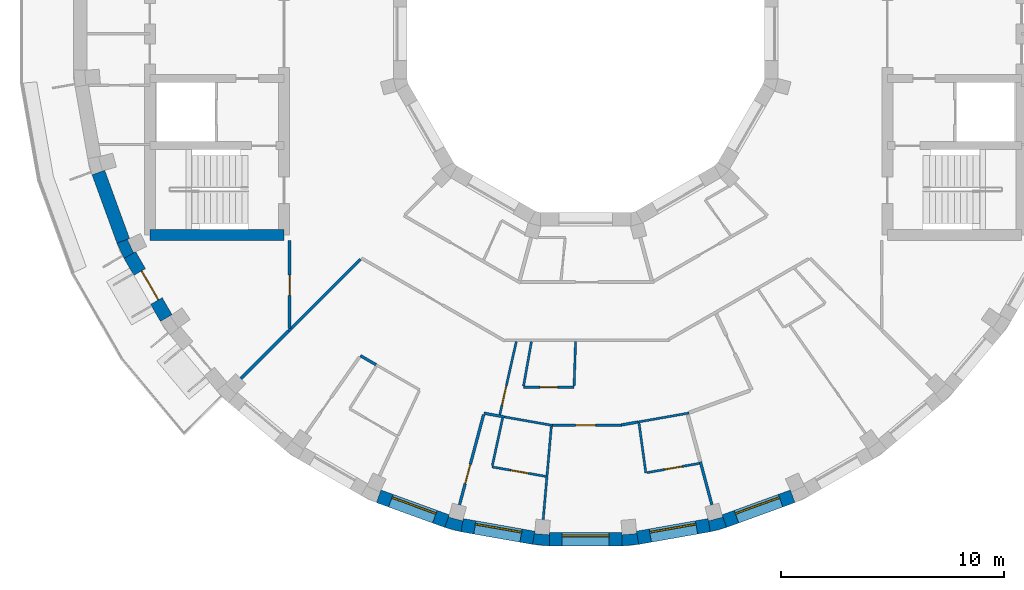
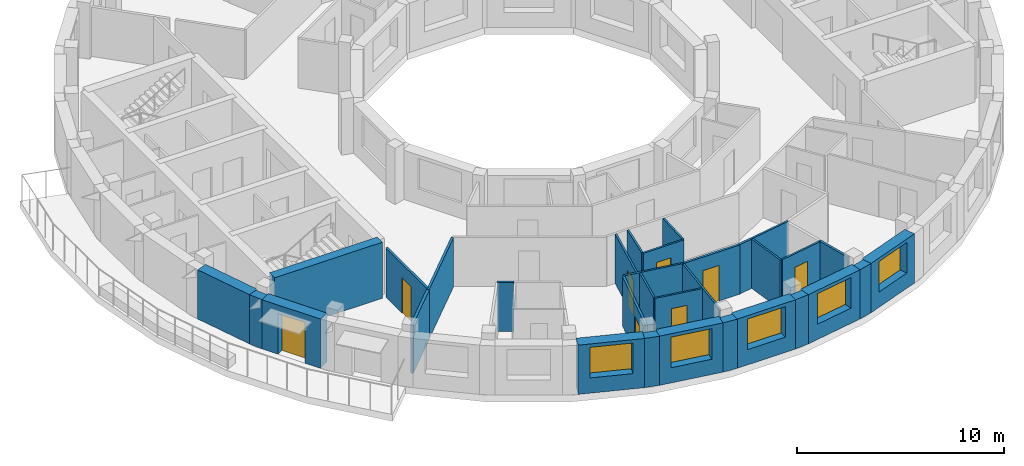
# One storey, part 2 of 10: 33 walls, 8 doors, 5 windows, 13 openings.
"""IFC4 building model written with IfcOpenShell, lengths in metres."""

from ifc_helpers import new_model, si_unit, direction, frame, frame_2d, origin, place, context, subcontext, project, spatial, polyline, rectangle, outline, extrude, material, layer, layer_set, type_object, element, fill, save


model = new_model("IFC4")

# Units and contexts
model_context = context("Model", 3, precision=1e-05, world=origin(), true_north=direction((0.0, 1.0)))
body_context = subcontext(model_context, "Body", "Model", "MODEL_VIEW")
ifc_project = project(units=[si_unit("LENGTHUNIT", "METRE"), si_unit("AREAUNIT", "SQUARE_METRE"), si_unit("VOLUMEUNIT", "CUBIC_METRE"), si_unit("PLANEANGLEUNIT", "RADIAN"), si_unit("MASSUNIT", "GRAM", prefix="KILO")], contexts=[model_context])

# Site, building, storey
site_placement = place(None, origin())
site = spatial("IfcSite", under=ifc_project, at=site_placement, CompositionType="ELEMENT")
building_placement = place(site_placement, origin())
building = spatial("IfcBuilding", under=site, at=building_placement, Name="Saqina Gate Tower", CompositionType="ELEMENT")
storey_placement = place(building_placement, frame((0.0, 0.0, 252.800048828125)))
storey = spatial("IfcBuildingStorey", under=building, at=storey_placement, Name="L72", CompositionType="ELEMENT", Elevation=252.800048828125)

# Walls
ifc_material_1 = material(Name="Brick masonry (buff)", Category="masonry")
wall_type_1 = type_object("IfcWallType", Name="BRICK PIER COPING BUFF", PredefinedType="SOLIDWALL", material=ifc_material_1)
wall_1_placement = place(storey_placement, origin())
element("IfcWall", 1, at=wall_1_placement, inside=storey, type_object=wall_type_1, Name="Pier cap L72 column 21", PredefinedType="SOLIDWALL", context=body_context, shape_type="SweptSolid", body=[
    extrude(outline(polyline([(-20.974609375, -9.3642578125), (-20.65576171875, -10.048095703125), (-20.135986328125, -9.748291015625), (-20.23193359375, -9.79296875), (-20.506591796875, -9.203857421875), (-20.410888671875, -9.1591796875), (-20.974609375, -9.3642578125)])), origin(), (0.0, 0.0, 1.0), 2.89990234375),
])
wall_2_placement = place(storey_placement, origin())
element("IfcWall", 2, at=wall_2_placement, inside=storey, type_object=wall_type_1, Name="Pier cap L72 column 26", PredefinedType="SOLIDWALL", context=body_context, shape_type="SweptSolid", body=[
    extrude(outline(polyline([(-5.579833984375, -22.281982421875), (-5.4755859375, -21.691162109375), (-5.5029296875, -21.793212890625), (-6.130859375, -21.625), (-6.103515625, -21.52294921875), (-6.30859375, -22.0869140625), (-5.579833984375, -22.281982421875)])), origin(), (0.0, 0.0, 1.0), 2.89990234375),
])
wall_3_placement = place(storey_placement, origin())
element("IfcWall", 3, at=wall_3_placement, inside=storey, type_object=wall_type_1, Name="Pier cap L72 column 27", PredefinedType="SOLIDWALL", context=body_context, shape_type="SweptSolid", body=[
    extrude(outline(polyline([(-2.377685546875, -22.8466796875), (-1.625732421875, -22.91259765625), (-1.625732421875, -22.3125), (-1.635009765625, -22.417724609375), (-2.28271484375, -22.361083984375), (-2.2734375, -22.255859375), (-2.377685546875, -22.8466796875)])), origin(), (0.0, 0.0, 1.0), 2.89990234375),
])
wall_4_placement = place(storey_placement, origin())
element("IfcWall", 4, at=wall_4_placement, inside=storey, type_object=wall_type_1, Name="Pier cap L72 column 28", PredefinedType="SOLIDWALL", context=body_context, shape_type="SweptSolid", body=[
    extrude(outline(polyline([(1.625732421875, -22.91259765625), (2.377685546875, -22.8466796875), (2.2734375, -22.255859375), (2.28271484375, -22.361083984375), (1.635009765625, -22.417724609375), (1.625732421875, -22.3125), (1.625732421875, -22.91259765625)])), origin(), (0.0, 0.0, 1.0), 2.89990234375),
])
wall_5_placement = place(storey_placement, origin())
element("IfcWall", 5, at=wall_5_placement, inside=storey, type_object=wall_type_1, Name="Pier cap L72 column 29", PredefinedType="SOLIDWALL", context=body_context, shape_type="SweptSolid", body=[
    extrude(outline(polyline([(6.30859375, -22.0869140625), (6.103515625, -21.52294921875), (6.130859375, -21.625), (5.5029296875, -21.793212890625), (5.4755859375, -21.691162109375), (5.579833984375, -22.281982421875), (6.30859375, -22.0869140625)])), origin(), (0.0, 0.0, 1.0), 2.89990234375),
])

# Wall, opening, door
ifc_material_2 = material(Name="Brick masonry (buff)", Category="masonry")
ifc_layer_1 = layer(ifc_material_2, 0.60009765625)
ifc_layer_set_1 = layer_set([ifc_layer_1], Name="FW-BRICK-BUFF")
wall_type_2 = type_object("IfcWallType", Name="FW-BRICK-BUFF", PredefinedType="SOLIDWALL", material=ifc_layer_set_1)
wall_6_placement = place(storey_placement, frame((-20.39599609375, -9.898193359375, 0.0), z_axis=(0.0, 0.0, 1.0), x_axis=(0.500014901547, -0.866016800201, 0.0)))
wall_6 = element("IfcWall", 6, at=wall_6_placement, inside=storey, type_object=wall_type_2, Name="Facade wall L72 facet 21", PredefinedType="SOLIDWALL", context=body_context, shape_type="SweptSolid", body=[
    extrude(rectangle(XDim=3.251953125, YDim=0.60009765625, at=frame_2d((1.6259765625, 0.0))), origin(), (0.0, 0.0, 1.0), 2.89990234375),
])
opening_1_placement = place(wall_6_placement, frame((0.875732421875, 0.0, 0.0)))
opening_1 = element("IfcOpeningElement", 7, at=opening_1_placement, cuts=wall_6, Name="Opening G21-D80", PredefinedType="OPENING", context=body_context, shape_type="SweptSolid", body=[
    extrude(rectangle(XDim=1.5, YDim=2.39990234375, at=frame_2d((0.75, 1.199951171875))), frame((0.0, 0.31201171875, 0.0), z_axis=(0.0, -1.0, 0.0), x_axis=(1.0, 0.0, 0.0)), (0.0, 0.0, 1.0), 0.6240234375),
])
ifc_material_3 = material(Name="Aluminium glazing", Category="aluminium")
door_type_1 = type_object("IfcDoorType", Name="GD-D", OperationType="DOUBLE_DOOR_SINGLE_SWING", PredefinedType="DOOR", material=ifc_material_3)
door_1_placement = place(opening_1_placement, frame((1.5, 0.0, 0.0), z_axis=(0.0, 0.0, 1.0), x_axis=(-1.0, 0.0, 0.0)))
door_1 = element("IfcDoor", 8, at=door_1_placement, inside=storey, type_object=door_type_1, Name="Terrace door L72 facet 21", OperationType="DOUBLE_DOOR_SINGLE_SWING", OverallHeight=2.39990234375, OverallWidth=1.5, PredefinedType="DOOR", context=body_context, shape_type="SweptSolid", body=[
    extrude(rectangle(XDim=1.5, YDim=2.39990234375, at=frame_2d((0.75, 1.199951171875))), frame((0.0, -0.0751953125, 0.0), z_axis=(0.0, -1.0, 0.0), x_axis=(1.0, 0.0, 0.0)), (0.0, 0.0, 1.0), 0.050048828125),
])
fill(opening_1, door_1)

# Wall, opening, window
wall_7_placement = place(storey_placement, frame((-9.26171875, -20.692626953125, 0.0), z_axis=(0.0, 0.0, 1.0), x_axis=(0.939679383794, -0.342056509473, 0.0)))
wall_7 = element("IfcWall", 9, at=wall_7_placement, inside=storey, type_object=wall_type_2, Name="Facade wall L72 facet 25", PredefinedType="SOLIDWALL", context=body_context, shape_type="SweptSolid", body=[
    extrude(rectangle(XDim=3.251708984375, YDim=0.60009765625, at=frame_2d((1.6259765625, 0.0))), origin(), (0.0, 0.0, 1.0), 2.89990234375),
])
opening_2_placement = place(wall_7_placement, frame((0.57568359375, 0.0, 0.89990234375)))
opening_2 = element("IfcOpeningElement", 10, at=opening_2_placement, cuts=wall_7, Name="Opening G21-W16", PredefinedType="OPENING", context=body_context, shape_type="SweptSolid", body=[
    extrude(rectangle(XDim=2.10009765625, YDim=1.800048828125, at=frame_2d((1.050048828125, 0.89990234375))), frame((0.0, 0.31201171875, 0.0), z_axis=(0.0, -1.0, 0.0), x_axis=(1.0, 0.0, 0.0)), (0.0, 0.0, 1.0), 0.6240234375),
])
ifc_material_4 = material(Name="Aluminium glazing", Category="aluminium")
window_type = type_object("IfcWindowType", Name="WN-D", PartitioningType="SINGLE_PANEL", PredefinedType="WINDOW", material=ifc_material_4)
window_1_placement = place(opening_2_placement, origin())
window_1 = element("IfcWindow", 11, at=window_1_placement, inside=storey, type_object=window_type, Name="Window L72 facet 25", OverallHeight=1.800048828125, OverallWidth=2.10009765625, PartitioningType="SINGLE_PANEL", PredefinedType="WINDOW", context=body_context, shape_type="SweptSolid", body=[
    extrude(rectangle(XDim=2.10009765625, YDim=1.800048828125, at=frame_2d((1.050048828125, 0.89990234375))), frame((0.0, 0.179931640625, 0.0), z_axis=(0.0, -1.0, 0.0), x_axis=(1.0, 0.0, 0.0)), (0.0, 0.0, 1.0), 0.06005859375),
])
fill(opening_2, window_1)

wall_8_placement = place(storey_placement, frame((-5.52783203125, -21.986572265625, 0.0), z_axis=(0.0, 0.0, 1.0), x_axis=(0.984806225186, -0.173656842178, 0.0)))
wall_8 = element("IfcWall", 12, at=wall_8_placement, inside=storey, type_object=wall_type_2, Name="Facade wall L72 facet 26", PredefinedType="SOLIDWALL", context=body_context, shape_type="SweptSolid", body=[
    extrude(rectangle(XDim=3.251708984375, YDim=0.60009765625, at=frame_2d((1.6259765625, 0.0))), origin(), (0.0, 0.0, 1.0), 2.89990234375),
])
opening_3_placement = place(wall_8_placement, frame((0.57568359375, 0.0, 0.89990234375)))
opening_3 = element("IfcOpeningElement", 13, at=opening_3_placement, cuts=wall_8, Name="Opening G21-W17", PredefinedType="OPENING", context=body_context, shape_type="SweptSolid", body=[
    extrude(rectangle(XDim=2.10009765625, YDim=1.800048828125, at=frame_2d((1.050048828125, 0.89990234375))), frame((0.0, 0.31201171875, 0.0), z_axis=(0.0, -1.0, 0.0), x_axis=(1.0, 0.0, 0.0)), (0.0, 0.0, 1.0), 0.6240234375),
])
window_2_placement = place(opening_3_placement, origin())
window_2 = element("IfcWindow", 14, at=window_2_placement, inside=storey, type_object=window_type, Name="Window L72 facet 26", OverallHeight=1.800048828125, OverallWidth=2.10009765625, PartitioningType="SINGLE_PANEL", PredefinedType="WINDOW", context=body_context, shape_type="SweptSolid", body=[
    extrude(rectangle(XDim=2.10009765625, YDim=1.800048828125, at=frame_2d((1.050048828125, 0.89990234375))), frame((0.0, 0.179931640625, 0.0), z_axis=(0.0, -1.0, 0.0), x_axis=(1.0, 0.0, 0.0)), (0.0, 0.0, 1.0), 0.06005859375),
])
fill(opening_3, window_2)

wall_9_placement = place(storey_placement, frame((-1.625732421875, -22.612548828125, 0.0), z_axis=(0.0, 0.0, 1.0), x_axis=(1.0, 0.0, 0.0)))
wall_9 = element("IfcWall", 15, at=wall_9_placement, inside=storey, type_object=wall_type_2, Name="Facade wall L72 facet 27", PredefinedType="SOLIDWALL", context=body_context, shape_type="SweptSolid", body=[
    extrude(rectangle(XDim=3.25146484375, YDim=0.60009765625, at=frame_2d((1.625732421875, 0.0))), origin(), (0.0, 0.0, 1.0), 2.89990234375),
])
opening_4_placement = place(wall_9_placement, frame((0.57568359375, 0.0, 0.89990234375)))
opening_4 = element("IfcOpeningElement", 16, at=opening_4_placement, cuts=wall_9, Name="Opening G21-W18", PredefinedType="OPENING", context=body_context, shape_type="SweptSolid", body=[
    extrude(rectangle(XDim=2.10009765625, YDim=1.800048828125, at=frame_2d((1.050048828125, 0.89990234375))), frame((0.0, 0.31201171875, 0.0), z_axis=(0.0, -1.0, 0.0), x_axis=(1.0, 0.0, 0.0)), (0.0, 0.0, 1.0), 0.6240234375),
])
window_3_placement = place(opening_4_placement, origin())
window_3 = element("IfcWindow", 17, at=window_3_placement, inside=storey, type_object=window_type, Name="Window L72 facet 27", OverallHeight=1.800048828125, OverallWidth=2.10009765625, PartitioningType="SINGLE_PANEL", PredefinedType="WINDOW", context=body_context, shape_type="SweptSolid", body=[
    extrude(rectangle(XDim=2.10009765625, YDim=1.800048828125, at=frame_2d((1.050048828125, 0.89990234375))), frame((0.0, 0.179931640625, 0.0), z_axis=(0.0, -1.0, 0.0), x_axis=(1.0, 0.0, 0.0)), (0.0, 0.0, 1.0), 0.06005859375),
])
fill(opening_4, window_3)

wall_10_placement = place(storey_placement, frame((2.325439453125, -22.55126953125, 0.0), z_axis=(0.0, 0.0, 1.0), x_axis=(0.984806225186, 0.173656842178, 0.0)))
wall_10 = element("IfcWall", 18, at=wall_10_placement, inside=storey, type_object=wall_type_2, Name="Facade wall L72 facet 28", PredefinedType="SOLIDWALL", context=body_context, shape_type="SweptSolid", body=[
    extrude(rectangle(XDim=3.251708984375, YDim=0.60009765625, at=frame_2d((1.6259765625, 0.0))), origin(), (0.0, 0.0, 1.0), 2.89990234375),
])
opening_5_placement = place(wall_10_placement, frame((0.57568359375, 0.0, 0.89990234375)))
opening_5 = element("IfcOpeningElement", 19, at=opening_5_placement, cuts=wall_10, Name="Opening G21-W19", PredefinedType="OPENING", context=body_context, shape_type="SweptSolid", body=[
    extrude(rectangle(XDim=2.10009765625, YDim=1.800048828125, at=frame_2d((1.050048828125, 0.89990234375))), frame((0.0, 0.31201171875, 0.0), z_axis=(0.0, -1.0, 0.0), x_axis=(1.0, 0.0, 0.0)), (0.0, 0.0, 1.0), 0.6240234375),
])
window_4_placement = place(opening_5_placement, origin())
window_4 = element("IfcWindow", 20, at=window_4_placement, inside=storey, type_object=window_type, Name="Window L72 facet 28", OverallHeight=1.800048828125, OverallWidth=2.10009765625, PartitioningType="SINGLE_PANEL", PredefinedType="WINDOW", context=body_context, shape_type="SweptSolid", body=[
    extrude(rectangle(XDim=2.10009765625, YDim=1.800048828125, at=frame_2d((1.050048828125, 0.89990234375))), frame((0.0, 0.179931640625, 0.0), z_axis=(0.0, -1.0, 0.0), x_axis=(1.0, 0.0, 0.0)), (0.0, 0.0, 1.0), 0.06005859375),
])
fill(opening_5, window_4)

wall_11_placement = place(storey_placement, frame((6.2060546875, -21.804931640625, 0.0), z_axis=(0.0, 0.0, 1.0), x_axis=(0.939679383794, 0.342056509473, 0.0)))
wall_11 = element("IfcWall", 21, at=wall_11_placement, inside=storey, type_object=wall_type_2, Name="Facade wall L72 facet 29", PredefinedType="SOLIDWALL", context=body_context, shape_type="SweptSolid", body=[
    extrude(rectangle(XDim=3.251708984375, YDim=0.60009765625, at=frame_2d((1.6259765625, 0.0))), origin(), (0.0, 0.0, 1.0), 2.89990234375),
])
opening_6_placement = place(wall_11_placement, frame((0.57568359375, 0.0, 0.89990234375)))
opening_6 = element("IfcOpeningElement", 22, at=opening_6_placement, cuts=wall_11, Name="Opening G21-W20", PredefinedType="OPENING", context=body_context, shape_type="SweptSolid", body=[
    extrude(rectangle(XDim=2.10009765625, YDim=1.800048828125, at=frame_2d((1.050048828125, 0.89990234375))), frame((0.0, 0.31201171875, 0.0), z_axis=(0.0, -1.0, 0.0), x_axis=(1.0, 0.0, 0.0)), (0.0, 0.0, 1.0), 0.6240234375),
])
window_5_placement = place(opening_6_placement, origin())
window_5 = element("IfcWindow", 23, at=window_5_placement, inside=storey, type_object=window_type, Name="Window L72 facet 29", OverallHeight=1.800048828125, OverallWidth=2.10009765625, PartitioningType="SINGLE_PANEL", PredefinedType="WINDOW", context=body_context, shape_type="SweptSolid", body=[
    extrude(rectangle(XDim=2.10009765625, YDim=1.800048828125, at=frame_2d((1.050048828125, 0.89990234375))), frame((0.0, 0.179931640625, 0.0), z_axis=(0.0, -1.0, 0.0), x_axis=(1.0, 0.0, 0.0)), (0.0, 0.0, 1.0), 0.06005859375),
])
fill(opening_6, window_5)

# Walls
ifc_material_5 = material(Name="Glazed ceramic tile (white)", Category="ceramic")
ifc_layer_2 = layer(ifc_material_5, 0.60009765625)
ifc_layer_set_2 = layer_set([ifc_layer_2], Name="FW-TILE-WH")
wall_type_3 = type_object("IfcWallType", Name="FW-TILE-WH", PredefinedType="SOLIDWALL", material=ifc_layer_set_2)
wall_12_placement = place(storey_placement, frame((-21.804931640625, -6.2060546875, 0.0), z_axis=(0.0, 0.0, 1.0), x_axis=(0.342056509473, -0.939679383794, 0.0)))
element("IfcWall", 24, at=wall_12_placement, inside=storey, type_object=wall_type_3, Name="Facade wall L72 facet 20", PredefinedType="SOLIDWALL", context=body_context, shape_type="SweptSolid", body=[
    extrude(rectangle(XDim=3.251708984375, YDim=0.60009765625, at=frame_2d((1.6259765625, 0.0))), origin(), (0.0, 0.0, 1.0), 2.89990234375),
])
ifc_material_6 = material(Name="Gypsum board on steel studs, 100 mm", Category="steel")
ifc_layer_3 = layer(ifc_material_6, 0.10009765625)
ifc_layer_set_3 = layer_set([ifc_layer_3], Name="PARTITION 100")
wall_type_4 = type_object("IfcWallType", Name="PARTITION 100", PredefinedType="PARTITIONING", material=ifc_layer_set_3)
wall_13_placement = place(storey_placement, frame((2.387451171875, -17.425048828125, 0.0), z_axis=(0.0, 0.0, 1.0), x_axis=(0.136139445073, -0.990689684763, 0.0)))
element("IfcWall", 25, at=wall_13_placement, inside=storey, type_object=wall_type_4, Name="PARTITION PW3-02", PredefinedType="PARTITIONING", context=body_context, shape_type="SweptSolid", body=[
    extrude(rectangle(XDim=2.23974609375, YDim=0.10009765625, at=frame_2d((1.119873046875, 0.0))), origin(), (0.0, 0.0, 1.0), 2.89990234375),
])

# Wall, opening, door
wall_14_placement = place(storey_placement, frame((-4.18896484375, -19.37890625, 0.0), z_axis=(0.0, 0.0, 1.0), x_axis=(0.98481170555, -0.17362576022, 0.0)))
wall_14 = element("IfcWall", 26, at=wall_14_placement, inside=storey, type_object=wall_type_4, Name="PARTITION PW3-20", PredefinedType="PARTITIONING", context=body_context, shape_type="SweptSolid", body=[
    extrude(rectangle(XDim=2.44384765625, YDim=0.10009765625, at=frame_2d((1.221923828125, 0.0))), origin(), (0.0, 0.0, 1.0), 2.89990234375),
])
opening_7_placement = place(wall_14_placement, frame((0.846923828125, 0.0, 0.0)))
opening_7 = element("IfcOpeningElement", 27, at=opening_7_placement, cuts=wall_14, Name="Opening G21-D31", PredefinedType="OPENING", context=body_context, shape_type="SweptSolid", body=[
    extrude(rectangle(XDim=0.800048828125, YDim=2.10009765625, at=frame_2d((0.39990234375, 1.050048828125))), frame((0.0, 0.06201171875, 0.0), z_axis=(0.0, -1.0, 0.0), x_axis=(1.0, 0.0, 0.0)), (0.0, 0.0, 1.0), 0.1240234375),
])
ifc_material_7 = material(Name="Timber door leaf, 800 mm", Category="wood")
door_type_2 = type_object("IfcDoorType", Name="DOOR 800 TIMBER", OperationType="SINGLE_SWING_LEFT", PredefinedType="DOOR", material=ifc_material_7)
door_2_placement = place(opening_7_placement, frame((0.800048828125, 0.0, 0.0), z_axis=(0.0, 0.0, 1.0), x_axis=(-1.0, 0.0, 0.0)))
door_2 = element("IfcDoor", 28, at=door_2_placement, inside=storey, type_object=door_type_2, Name="DOOR G21-D31", OperationType="SINGLE_SWING_LEFT", OverallHeight=2.10009765625, OverallWidth=0.800048828125, PredefinedType="DOOR", context=body_context, shape_type="SweptSolid", body=[
    extrude(rectangle(XDim=0.800048828125, YDim=2.10009765625, at=frame_2d((0.39990234375, 1.050048828125))), frame((0.0, 0.02490234375, 0.0), z_axis=(0.0, -1.0, 0.0), x_axis=(1.0, 0.0, 0.0)), (0.0, 0.0, 1.0), 0.050048828125),
])
fill(opening_7, door_2)

# Wall
wall_15_placement = place(storey_placement, frame((-3.641357421875, -17.140869140625, 0.0), z_axis=(0.0, 0.0, 1.0), x_axis=(0.984870828908, -0.173290075784, 0.0)))
element("IfcWall", 29, at=wall_15_placement, inside=storey, type_object=wall_type_4, Name="PARTITION PW3-21", PredefinedType="PARTITIONING", context=body_context, shape_type="SweptSolid", body=[
    extrude(rectangle(XDim=2.193603515625, YDim=0.10009765625, at=frame_2d((1.0966796875, 0.0))), origin(), (0.0, 0.0, 1.0), 2.89990234375),
])

# Wall, opening, door
wall_16_placement = place(storey_placement, frame((-2.7880859375, -15.81005859375, 0.0), z_axis=(0.0, 0.0, 1.0), x_axis=(1.0, 0.0, 0.0)))
wall_16 = element("IfcWall", 30, at=wall_16_placement, inside=storey, type_object=wall_type_4, Name="PARTITION PW3-24", PredefinedType="PARTITIONING", context=body_context, shape_type="SweptSolid", body=[
    extrude(rectangle(XDim=2.26904296875, YDim=0.10009765625, at=frame_2d((1.134521484375, 0.0))), origin(), (0.0, 0.0, 1.0), 2.89990234375),
])
opening_8_placement = place(wall_16_placement, frame((0.734619140625, 0.0, 0.0)))
opening_8 = element("IfcOpeningElement", 31, at=opening_8_placement, cuts=wall_16, Name="Opening G21-D32", PredefinedType="OPENING", context=body_context, shape_type="SweptSolid", body=[
    extrude(rectangle(XDim=0.800048828125, YDim=2.10009765625, at=frame_2d((0.39990234375, 1.050048828125))), frame((0.0, 0.06201171875, 0.0), z_axis=(0.0, -1.0, 0.0), x_axis=(1.0, 0.0, 0.0)), (0.0, 0.0, 1.0), 0.1240234375),
])
door_3_placement = place(opening_8_placement, frame((0.800048828125, 0.0, 0.0), z_axis=(0.0, 0.0, 1.0), x_axis=(-1.0, 0.0, 0.0)))
door_3 = element("IfcDoor", 32, at=door_3_placement, inside=storey, type_object=door_type_2, Name="DOOR G21-D32", OperationType="SINGLE_SWING_LEFT", OverallHeight=2.10009765625, OverallWidth=0.800048828125, PredefinedType="DOOR", context=body_context, shape_type="SweptSolid", body=[
    extrude(rectangle(XDim=0.800048828125, YDim=2.10009765625, at=frame_2d((0.39990234375, 1.050048828125))), frame((0.0, 0.02490234375, 0.0), z_axis=(0.0, -1.0, 0.0), x_axis=(1.0, 0.0, 0.0)), (0.0, 0.0, 1.0), 0.050048828125),
])
fill(opening_8, door_3)

wall_17_placement = place(storey_placement, frame((2.7421875, -19.635009765625, 0.0), z_axis=(0.0, 0.0, 1.0), x_axis=(0.984744284457, 0.174007741867, 0.0)))
wall_17 = element("IfcWall", 33, at=wall_17_placement, inside=storey, type_object=wall_type_4, Name="PARTITION PW3-28", PredefinedType="PARTITIONING", context=body_context, shape_type="SweptSolid", body=[
    extrude(rectangle(XDim=2.379638671875, YDim=0.10009765625, at=frame_2d((1.18994140625, 0.0))), origin(), (0.0, 0.0, 1.0), 2.89990234375),
])
opening_9_placement = place(wall_17_placement, frame((0.79638671875, 0.0, 0.0)))
opening_9 = element("IfcOpeningElement", 34, at=opening_9_placement, cuts=wall_17, Name="Opening G21-D36", PredefinedType="OPENING", context=body_context, shape_type="SweptSolid", body=[
    extrude(rectangle(XDim=0.800048828125, YDim=2.10009765625, at=frame_2d((0.39990234375, 1.050048828125))), frame((0.0, 0.06201171875, 0.0), z_axis=(0.0, -1.0, 0.0), x_axis=(1.0, 0.0, 0.0)), (0.0, 0.0, 1.0), 0.1240234375),
])
door_4_placement = place(opening_9_placement, frame((0.800048828125, 0.0, 0.0), z_axis=(0.0, 0.0, 1.0), x_axis=(-1.0, 0.0, 0.0)))
door_4 = element("IfcDoor", 35, at=door_4_placement, inside=storey, type_object=door_type_2, Name="DOOR G21-D36", OperationType="SINGLE_SWING_LEFT", OverallHeight=2.10009765625, OverallWidth=0.800048828125, PredefinedType="DOOR", context=body_context, shape_type="SweptSolid", body=[
    extrude(rectangle(XDim=0.800048828125, YDim=2.10009765625, at=frame_2d((0.39990234375, 1.050048828125))), frame((0.0, 0.02490234375, 0.0), z_axis=(0.0, -1.0, 0.0), x_axis=(1.0, 0.0, 0.0)), (0.0, 0.0, 1.0), 0.050048828125),
])
fill(opening_9, door_4)

# Wall
wall_18_placement = place(storey_placement, frame((2.329833984375, -17.37158203125, 0.0), z_axis=(0.0, 0.0, 1.0), x_axis=(0.984801481442, 0.173683741754, 0.0)))
element("IfcWall", 36, at=wall_18_placement, inside=storey, type_object=wall_type_4, Name="PARTITION PW3-29", PredefinedType="PARTITIONING", context=body_context, shape_type="SweptSolid", body=[
    extrude(rectangle(XDim=2.33056640625, YDim=0.10009765625, at=frame_2d((1.165283203125, 0.0))), origin(), (0.0, 0.0, 1.0), 2.89990234375),
])

# Wall, opening, door
wall_19_placement = place(storey_placement, frame((-3.84228515625, -17.0419921875, 0.0), z_axis=(0.0, 0.0, 1.0), x_axis=(0.219959167762, 0.975509079669, 0.0)))
wall_19 = element("IfcWall", 37, at=wall_19_placement, inside=storey, type_object=wall_type_4, Name="PARTITION PW3-44", PredefinedType="PARTITIONING", context=body_context, shape_type="SweptSolid", body=[
    extrude(rectangle(XDim=3.35302734375, YDim=0.10009765625, at=frame_2d((1.676513671875, 0.0))), origin(), (0.0, 0.0, 1.0), 2.89990234375),
])
opening_10_placement = place(wall_19_placement, frame((0.427001953125, 0.0, 0.0)))
opening_10 = element("IfcOpeningElement", 38, at=opening_10_placement, cuts=wall_19, Name="Opening G21-D30", PredefinedType="OPENING", context=body_context, shape_type="SweptSolid", body=[
    extrude(rectangle(XDim=0.89990234375, YDim=2.10009765625, at=frame_2d((0.449951171875, 1.050048828125))), frame((0.0, 0.06201171875, 0.0), z_axis=(0.0, -1.0, 0.0), x_axis=(1.0, 0.0, 0.0)), (0.0, 0.0, 1.0), 0.1240234375),
])
ifc_material_8 = material(Name="Timber door leaf, 900 mm", Category="wood")
door_type_3 = type_object("IfcDoorType", Name="DOOR 900 TIMBER", OperationType="SINGLE_SWING_LEFT", PredefinedType="DOOR", material=ifc_material_8)
door_5_placement = place(opening_10_placement, origin())
door_5 = element("IfcDoor", 39, at=door_5_placement, inside=storey, type_object=door_type_3, Name="DOOR G21-D30", OperationType="SINGLE_SWING_LEFT", OverallHeight=2.10009765625, OverallWidth=0.89990234375, PredefinedType="DOOR", context=body_context, shape_type="SweptSolid", body=[
    extrude(rectangle(XDim=0.89990234375, YDim=2.10009765625, at=frame_2d((0.449951171875, 1.050048828125))), frame((0.0, 0.02490234375, 0.0), z_axis=(0.0, -1.0, 0.0), x_axis=(1.0, 0.0, 0.0)), (0.0, 0.0, 1.0), 0.050048828125),
])
fill(opening_10, door_5)

# Walls
wall_20_placement = place(storey_placement, frame((-4.178466796875, -19.330078125, 0.0), z_axis=(0.0, 0.0, 1.0), x_axis=(0.211197399018, 0.977443429897, 0.0)))
element("IfcWall", 40, at=wall_20_placement, inside=storey, type_object=wall_type_4, Name="PARTITION PW3-45", PredefinedType="PARTITIONING", context=body_context, shape_type="SweptSolid", body=[
    extrude(rectangle(XDim=2.188232421875, YDim=0.10009765625, at=frame_2d((1.09423828125, 0.0))), origin(), (0.0, 0.0, 1.0), 2.89990234375),
])
wall_21_placement = place(storey_placement, frame((-2.779296875, -15.7607421875, 0.0), z_axis=(0.0, 0.0, 1.0), x_axis=(0.173916330722, 0.984760432749, 0.0)))
element("IfcWall", 41, at=wall_21_placement, inside=storey, type_object=wall_type_4, Name="PARTITION PW3-47", PredefinedType="PARTITIONING", context=body_context, shape_type="SweptSolid", body=[
    extrude(rectangle(XDim=2.02001953125, YDim=0.10009765625, at=frame_2d((1.010009765625, 0.0))), origin(), (0.0, 0.0, 1.0), 2.89990234375),
])
wall_22_placement = place(storey_placement, frame((-1.90087890625, -21.73193359375, 0.0), z_axis=(0.0, 0.0, 1.0), x_axis=(0.087101641285, 0.996199429876, 0.0)))
element("IfcWall", 42, at=wall_22_placement, inside=storey, type_object=wall_type_4, Name="PARTITION PW3-49", PredefinedType="PARTITIONING", context=body_context, shape_type="SweptSolid", body=[
    extrude(rectangle(XDim=4.173583984375, YDim=0.10009765625, at=frame_2d((2.0869140625, 0.0))), origin(), (0.0, 0.0, 1.0), 2.89990234375),
])
wall_23_placement = place(storey_placement, frame((-0.517333984375, -15.760009765625, 0.0), z_axis=(0.0, 0.0, 1.0), x_axis=(0.032779329048, 0.999462613401, 0.0)))
element("IfcWall", 43, at=wall_23_placement, inside=storey, type_object=wall_type_4, Name="PARTITION PW3-51", PredefinedType="PARTITIONING", context=body_context, shape_type="SweptSolid", body=[
    extrude(rectangle(XDim=1.988525390625, YDim=0.10009765625, at=frame_2d((0.994140625, 0.0))), origin(), (0.0, 0.0, 1.0), 2.89990234375),
])
ifc_material_9 = material(Name="Gypsum board on steel studs, 125 mm, fire rated", Category="steel")
ifc_layer_4 = layer(ifc_material_9, 0.125)
ifc_layer_set_4 = layer_set([ifc_layer_4], Name="PARTITION EI 30 125")
wall_type_5 = type_object("IfcWallType", Name="PARTITION EI 30 125", PredefinedType="PARTITIONING", material=ifc_layer_set_4)
wall_24_placement = place(storey_placement, frame((5.131591796875, -19.1494140625, 0.0), z_axis=(0.0, 0.0, 1.0), x_axis=(0.259128566087, -0.965842837235, 0.0)))
element("IfcWall", 44, at=wall_24_placement, inside=storey, type_object=wall_type_5, Name="PARTITION PW1-02", PredefinedType="PARTITIONING", context=body_context, shape_type="SweptSolid", body=[
    extrude(rectangle(XDim=1.98974609375, YDim=0.125, at=frame_2d((0.994873046875, 0.0))), origin(), (0.0, 0.0, 1.0), 2.89990234375),
])
wall_25_placement = place(storey_placement, frame((-10.081298828125, -14.40087890625, 0.0), z_axis=(0.0, 0.0, 1.0), x_axis=(0.866059832176, -0.499940363534, 0.0)))
element("IfcWall", 45, at=wall_25_placement, inside=storey, type_object=wall_type_5, Name="PARTITION PW1-08", PredefinedType="PARTITIONING", context=body_context, shape_type="SweptSolid", body=[
    extrude(rectangle(XDim=0.80810546875, YDim=0.125, at=frame_2d((0.404052734375, 0.0))), origin(), (0.0, 0.0, 1.0), 2.89990234375),
])
wall_26_placement = place(storey_placement, frame((-4.54833984375, -16.976318359375, 0.0), z_axis=(0.0, 0.0, 1.0), x_axis=(0.983882623383, -0.178815501019, 0.0)))
element("IfcWall", 46, at=wall_26_placement, inside=storey, type_object=wall_type_5, Name="PARTITION PW1-14", PredefinedType="PARTITIONING", context=body_context, shape_type="SweptSolid", body=[
    extrude(rectangle(XDim=0.921630859375, YDim=0.125, at=frame_2d((0.4609375, 0.0))), origin(), (0.0, 0.0, 1.0), 2.89990234375),
])

# Wall, opening, door
wall_27_placement = place(storey_placement, frame((-1.48095703125, -17.511962890625, 0.0), z_axis=(0.0, 0.0, 1.0), x_axis=(1.0, 0.0, 0.0)))
wall_27 = element("IfcWall", 47, at=wall_27_placement, inside=storey, type_object=wall_type_5, Name="PARTITION PW1-16", PredefinedType="PARTITIONING", context=body_context, shape_type="SweptSolid", body=[
    extrude(rectangle(XDim=3.076416015625, YDim=0.125, at=frame_2d((1.5380859375, 0.0))), origin(), (0.0, 0.0, 1.0), 2.89990234375),
])
opening_11_placement = place(wall_27_placement, frame((1.031494140625, 0.0, 0.0)))
opening_11 = element("IfcOpeningElement", 48, at=opening_11_placement, cuts=wall_27, Name="Opening G21-D34", PredefinedType="OPENING", context=body_context, shape_type="SweptSolid", body=[
    extrude(rectangle(XDim=0.89990234375, YDim=2.10009765625, at=frame_2d((0.449951171875, 1.050048828125))), frame((0.0, 0.074462890625, 0.0), z_axis=(0.0, -1.0, 0.0), x_axis=(1.0, 0.0, 0.0)), (0.0, 0.0, 1.0), 0.14892578125),
])
ifc_material_10 = material(Name="Fire door leaf EI 30, 900 mm")
door_type_4 = type_object("IfcDoorType", Name="DOOR 900 EI 30", OperationType="SINGLE_SWING_LEFT", PredefinedType="DOOR", material=ifc_material_10)
door_6_placement = place(opening_11_placement, origin())
door_6 = element("IfcDoor", 49, at=door_6_placement, inside=storey, type_object=door_type_4, Name="DOOR G21-D34", OperationType="SINGLE_SWING_LEFT", OverallHeight=2.10009765625, OverallWidth=0.89990234375, PredefinedType="DOOR", context=body_context, shape_type="SweptSolid", body=[
    extrude(rectangle(XDim=0.89990234375, YDim=2.10009765625, at=frame_2d((0.449951171875, 1.050048828125))), frame((0.0, 0.02490234375, 0.0), z_axis=(0.0, -1.0, 0.0), x_axis=(1.0, 0.0, 0.0)), (0.0, 0.0, 1.0), 0.050048828125),
])
fill(opening_11, door_6)

# Walls
wall_28_placement = place(storey_placement, frame((1.593505859375, -17.501220703125, 0.0), z_axis=(0.0, 0.0, 1.0), x_axis=(0.984852515296, 0.173394126532, 0.0)))
element("IfcWall", 50, at=wall_28_placement, inside=storey, type_object=wall_type_5, Name="PARTITION PW1-21", PredefinedType="PARTITIONING", context=body_context, shape_type="SweptSolid", body=[
    extrude(rectangle(XDim=0.74755859375, YDim=0.125, at=frame_2d((0.373779296875, 0.0))), origin(), (0.0, 0.0, 1.0), 2.89990234375),
])
wall_29_placement = place(storey_placement, frame((-13.294189453125, -13.294189453125, 0.0), z_axis=(0.0, 0.0, 1.0), x_axis=(0.707106781187, 0.707106781187, 0.0)))
element("IfcWall", 51, at=wall_29_placement, inside=storey, type_object=wall_type_5, Name="PARTITION PW1-27", PredefinedType="PARTITIONING", context=body_context, shape_type="SweptSolid", body=[
    extrude(rectangle(XDim=4.54541015625, YDim=0.125, at=frame_2d((2.272705078125, 0.0))), origin(), (0.0, 0.0, 1.0), 2.89990234375),
])

# Wall, opening, door
wall_30_placement = place(storey_placement, frame((-5.64453125, -21.072021484375, 0.0), z_axis=(0.0, 0.0, 1.0), x_axis=(0.258154150775, 0.966103738963, 0.0)))
wall_30 = element("IfcWall", 52, at=wall_30_placement, inside=storey, type_object=wall_type_5, Name="PARTITION PW1-35", PredefinedType="PARTITIONING", context=body_context, shape_type="SweptSolid", body=[
    extrude(rectangle(XDim=4.17333984375, YDim=0.125, at=frame_2d((2.086669921875, 0.0))), origin(), (0.0, 0.0, 1.0), 2.89990234375),
])
opening_12_placement = place(wall_30_placement, frame((0.976806640625, 0.0, 0.0)))
opening_12 = element("IfcOpeningElement", 53, at=opening_12_placement, cuts=wall_30, Name="Opening G21-D29", PredefinedType="OPENING", context=body_context, shape_type="SweptSolid", body=[
    extrude(rectangle(XDim=0.89990234375, YDim=2.10009765625, at=frame_2d((0.449951171875, 1.050048828125))), frame((0.0, 0.074462890625, 0.0), z_axis=(0.0, -1.0, 0.0), x_axis=(1.0, 0.0, 0.0)), (0.0, 0.0, 1.0), 0.14892578125),
])
door_7_placement = place(opening_12_placement, origin())
door_7 = element("IfcDoor", 54, at=door_7_placement, inside=storey, type_object=door_type_4, Name="DOOR G21-D29", OperationType="SINGLE_SWING_LEFT", OverallHeight=2.10009765625, OverallWidth=0.89990234375, PredefinedType="DOOR", context=body_context, shape_type="SweptSolid", body=[
    extrude(rectangle(XDim=0.89990234375, YDim=2.10009765625, at=frame_2d((0.449951171875, 1.050048828125))), frame((0.0, 0.02490234375, 0.0), z_axis=(0.0, -1.0, 0.0), x_axis=(1.0, 0.0, 0.0)), (0.0, 0.0, 1.0), 0.050048828125),
])
fill(opening_12, door_7)

wall_31_placement = place(storey_placement, frame((-13.25, -13.175048828125, 0.0), z_axis=(0.0, 0.0, 1.0), x_axis=(0.0, 1.0, 0.0)))
wall_31 = element("IfcWall", 55, at=wall_31_placement, inside=storey, type_object=wall_type_5, Name="PARTITION PW1-40", PredefinedType="PARTITIONING", context=body_context, shape_type="SweptSolid", body=[
    extrude(rectangle(XDim=3.925048828125, YDim=0.125, at=frame_2d((1.96240234375, 0.0))), origin(), (0.0, 0.0, 1.0), 2.89990234375),
])
opening_13_placement = place(wall_31_placement, frame((1.47509765625, 0.0, 0.0)))
opening_13 = element("IfcOpeningElement", 56, at=opening_13_placement, cuts=wall_31, Name="Opening G21-D23", PredefinedType="OPENING", context=body_context, shape_type="SweptSolid", body=[
    extrude(rectangle(XDim=0.89990234375, YDim=2.10009765625, at=frame_2d((0.449951171875, 1.050048828125))), frame((0.0, 0.074462890625, 0.0), z_axis=(0.0, -1.0, 0.0), x_axis=(1.0, 0.0, 0.0)), (0.0, 0.0, 1.0), 0.14892578125),
])
door_8_placement = place(opening_13_placement, origin())
door_8 = element("IfcDoor", 57, at=door_8_placement, inside=storey, type_object=door_type_4, Name="DOOR G21-D23", OperationType="SINGLE_SWING_LEFT", OverallHeight=2.10009765625, OverallWidth=0.89990234375, PredefinedType="DOOR", context=body_context, shape_type="SweptSolid", body=[
    extrude(rectangle(XDim=0.89990234375, YDim=2.10009765625, at=frame_2d((0.449951171875, 1.050048828125))), frame((0.0, 0.02490234375, 0.0), z_axis=(0.0, -1.0, 0.0), x_axis=(1.0, 0.0, 0.0)), (0.0, 0.0, 1.0), 0.050048828125),
])
fill(opening_13, door_8)

# Walls
ifc_material_11 = material(Name="Gypsum board on steel studs, 150 mm, fire rated", Category="steel")
ifc_layer_5 = layer(ifc_material_11, 0.14990234375)
ifc_layer_set_5 = layer_set([ifc_layer_5], Name="PARTITION EI 60 150")
wall_type_6 = type_object("IfcWallType", Name="PARTITION EI 60 150", PredefinedType="PARTITIONING", material=ifc_layer_set_5)
wall_32_placement = place(storey_placement, frame((-15.425537109375, -15.425537109375, 0.0), z_axis=(0.0, 0.0, 1.0), x_axis=(0.707106781187, 0.707106781187, 0.0)))
element("IfcWall", 58, at=wall_32_placement, inside=storey, type_object=wall_type_6, Name="PARTITION PW2-08", PredefinedType="PARTITIONING", context=body_context, shape_type="SweptSolid", body=[
    extrude(rectangle(XDim=3.01416015625, YDim=0.14990234375, at=frame_2d((1.507080078125, 0.0))), origin(), (0.0, 0.0, 1.0), 2.89990234375),
])
ifc_material_12 = material(Name="Concrete C60/75", Category="concrete")
ifc_layer_6 = layer(ifc_material_12, 0.5)
ifc_layer_set_6 = layer_set([ifc_layer_6], Name="Concrete C60/75")
wall_type_7 = type_object("IfcWallType", Name="STR-CORE WALL-D-O", PredefinedType="SHEAR", material=ifc_layer_set_6)
wall_33_placement = place(storey_placement, frame((-13.5, -9.0, 0.0), z_axis=(0.0, 0.0, 1.0), x_axis=(-1.0, 0.0, 0.0)))
element("IfcWall", 59, at=wall_33_placement, inside=storey, type_object=wall_type_7, Name="CORE WALL L72 W-SE", PredefinedType="SHEAR", context=body_context, shape_type="SweptSolid", body=[
    extrude(rectangle(XDim=6.0, YDim=0.5, at=frame_2d((3.0, 0.0))), origin(), (0.0, 0.0, 1.0), 3.300048828125),
])

save(model, "model.ifc")
